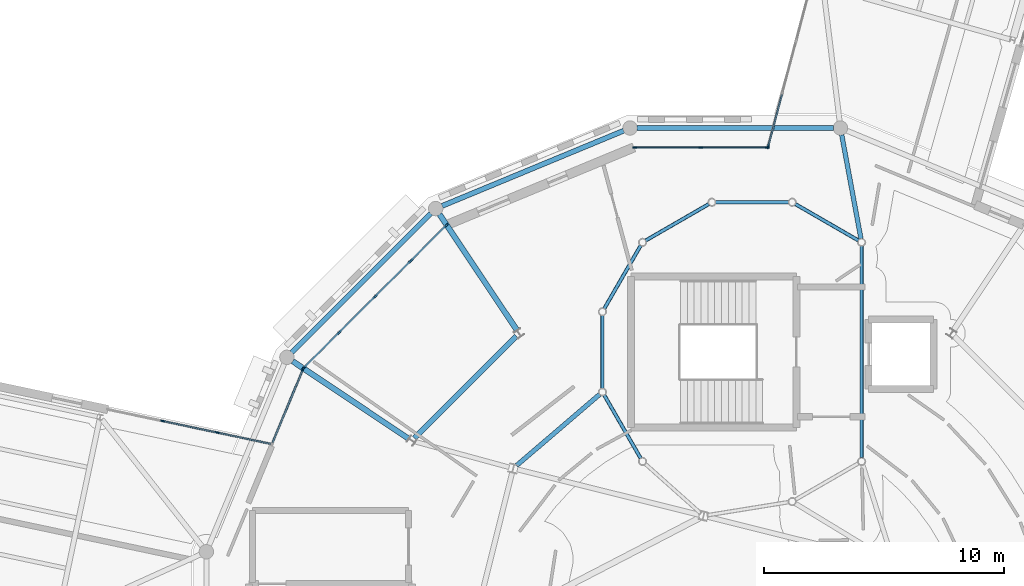
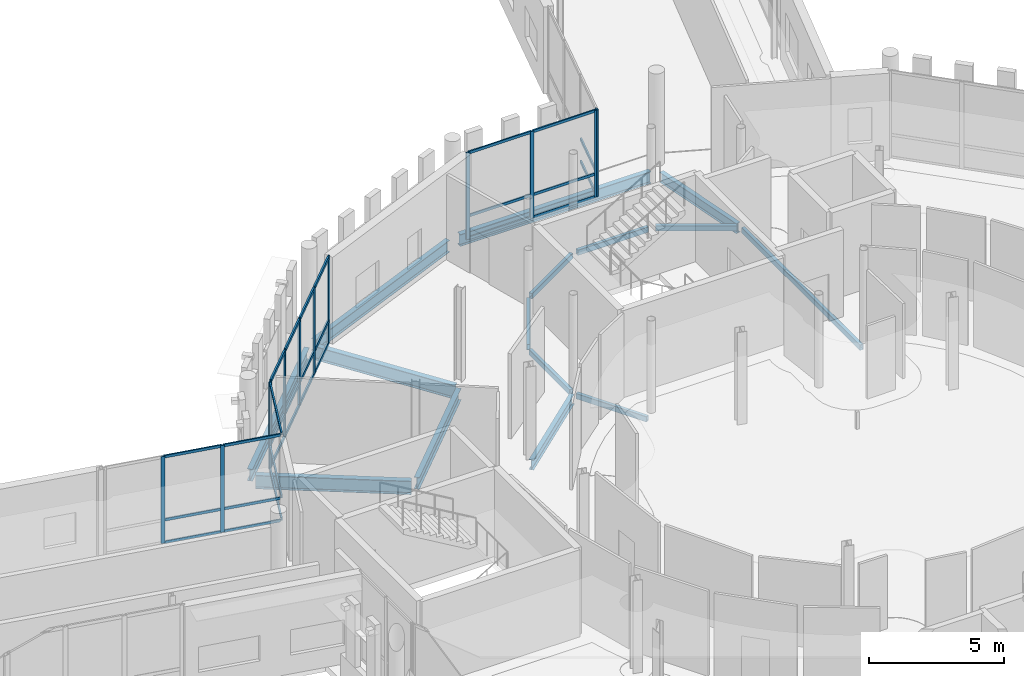
# One storey, part 59 of 125: 41 members, 15 beams, 5 elements without a shape of their own.
"""IFC4 building model written with IfcOpenShell, lengths in metres."""

from ifc_helpers import new_model, si_unit, direction, frame, origin, origin_2d, place, context, subcontext, project, spatial, rectangle, hollow_rectangle, i_section, extrude, material, material_profile, profile_set, type_object, element, aggregate, save


model = new_model("IFC4")

# Units and contexts
model_context = context("Model", 3, precision=1e-05, world=origin(), true_north=direction((0.0, 1.0)))
body_context = subcontext(model_context, "Body", "Model", "MODEL_VIEW")
ifc_project = project(units=[si_unit("LENGTHUNIT", "METRE"), si_unit("AREAUNIT", "SQUARE_METRE"), si_unit("VOLUMEUNIT", "CUBIC_METRE"), si_unit("PLANEANGLEUNIT", "RADIAN"), si_unit("MASSUNIT", "GRAM", prefix="KILO")], contexts=[model_context])

# Site, building, storey
site_placement = place(None, origin())
site = spatial("IfcSite", under=ifc_project, at=site_placement, CompositionType="ELEMENT")
building_placement = place(site_placement, origin())
building = spatial("IfcBuilding", under=site, at=building_placement, Name="Wrenclough Park School", CompositionType="ELEMENT")
storey_placement = place(building_placement, frame((0.0, 0.0, 4.199951171875)))
storey = spatial("IfcBuildingStorey", under=building, at=storey_placement, Name="L01", CompositionType="ELEMENT", Elevation=4.199951171875)

# Curtain wall, members
ifc_material_1 = material(Name="Thermally broken aluminium and low-e glass curtain wall", Category="aluminium")
curtain_wall_type_1 = type_object("IfcCurtainWallType", Name="ENV-CW-07", PredefinedType="USERDEFINED", material=ifc_material_1)
curtain_wall_1_placement = place(storey_placement, origin())
curtain_wall_1 = element("IfcCurtainWall", 1, at=curtain_wall_1_placement, inside=storey, type_object=curtain_wall_type_1, Name="L01 recessed curtain wall assembly 150", ObjectType="CURTAIN WALL", PredefinedType="USERDEFINED")
ifc_material_2 = material(Name="Thermally broken anodised aluminium", Category="aluminium")
ifc_material_profile_1 = material_profile(ifc_material_2, rectangle(XDim=0.06005859375, YDim=0.159912109375, at=origin_2d()), Name="AL MULLION 60x160")
ifc_profile_set_1 = profile_set([ifc_material_profile_1], Name="Thermally broken anodised aluminium")
member_type_1 = type_object("IfcMemberType", Name="ENV-CWM-1", PredefinedType="MULLION", material=ifc_profile_set_1)
member_1_placement = place(storey_placement, frame((131.658935546875, 36.322998046875, 0.0), z_axis=(0.0, 0.0, 1.0), x_axis=(0.206819986347, 0.978379013086, 0.0)))
member_1 = element("IfcMember", 2, at=member_1_placement, type_object=member_type_1, Name="CW-07 mullion 2", PredefinedType="MULLION", context=body_context, shape_type="SweptSolid", body=[
    extrude(rectangle(XDim=0.06005859375, YDim=0.159912109375, at=origin_2d()), origin(), (0.0, 0.0, 1.0), 3.93994140625),
])
member_2_placement = place(storey_placement, frame((133.9326171875, 35.84228515625, 0.0), z_axis=(0.0, 0.0, 1.0), x_axis=(0.206819986347, 0.978379013086, 0.0)))
member_2 = element("IfcMember", 3, at=member_2_placement, type_object=member_type_1, Name="CW-07 mullion 3", PredefinedType="MULLION", context=body_context, shape_type="SweptSolid", body=[
    extrude(rectangle(XDim=0.06005859375, YDim=0.159912109375, at=origin_2d()), origin(), (0.0, 0.0, 1.0), 3.93994140625),
])

curtain_wall_type_2 = type_object("IfcCurtainWallType", Name="ENV-CW-10", PredefinedType="USERDEFINED", material=ifc_material_1)
curtain_wall_2_placement = place(storey_placement, origin())
curtain_wall_2 = element("IfcCurtainWall", 4, at=curtain_wall_2_placement, inside=storey, type_object=curtain_wall_type_2, Name="L01 recessed curtain wall assembly 153", ObjectType="CURTAIN WALL", PredefinedType="USERDEFINED")
member_3_placement = place(storey_placement, frame((151.314697265625, 47.712158203125, 0.0), z_axis=(0.0, 0.0, 1.0), x_axis=(0.0, 1.0, 0.0)))
member_3 = element("IfcMember", 5, at=member_3_placement, type_object=member_type_1, Name="CW-10 mullion 1", PredefinedType="MULLION", context=body_context, shape_type="SweptSolid", body=[
    extrude(rectangle(XDim=0.06005859375, YDim=0.159912109375, at=origin_2d()), origin(), (0.0, 0.0, 1.0), 3.93994140625),
])
member_4_placement = place(storey_placement, frame((154.069580078125, 47.712158203125, 0.0), z_axis=(0.0, 0.0, 1.0), x_axis=(0.0, 1.0, 0.0)))
member_4 = element("IfcMember", 6, at=member_4_placement, type_object=member_type_1, Name="CW-10 mullion 2", PredefinedType="MULLION", context=body_context, shape_type="SweptSolid", body=[
    extrude(rectangle(XDim=0.06005859375, YDim=0.159912109375, at=origin_2d()), origin(), (0.0, 0.0, 1.0), 3.93994140625),
])
member_5_placement = place(storey_placement, frame((156.82470703125, 47.712158203125, 0.0), z_axis=(0.0, 0.0, 1.0), x_axis=(0.0, 1.0, 0.0)))
member_5 = element("IfcMember", 7, at=member_5_placement, type_object=member_type_1, Name="CW-10 mullion 3", PredefinedType="MULLION", context=body_context, shape_type="SweptSolid", body=[
    extrude(rectangle(XDim=0.06005859375, YDim=0.159912109375, at=origin_2d()), origin(), (0.0, 0.0, 1.0), 3.93994140625),
])

# Curtain wall, member
curtain_wall_type_3 = type_object("IfcCurtainWallType", Name="ENV-CW-08", PredefinedType="USERDEFINED", material=ifc_material_1)
curtain_wall_3_placement = place(storey_placement, origin())
curtain_wall_3 = element("IfcCurtainWall", 8, at=curtain_wall_3_placement, inside=storey, type_object=curtain_wall_type_3, Name="L01 recessed curtain wall assembly 151", ObjectType="CURTAIN WALL", PredefinedType="USERDEFINED")
ifc_material_profile_2 = material_profile(ifc_material_2, rectangle(XDim=0.06494140625, YDim=0.179931640625, at=origin_2d()), Name="AL MULLION 65x180")
ifc_profile_set_2 = profile_set([ifc_material_profile_2], Name="Thermally broken anodised aluminium")
member_type_2 = type_object("IfcMemberType", Name="ENV-CWM-2", PredefinedType="MULLION", material=ifc_profile_set_2)
member_6_placement = place(storey_placement, frame((137.503173828125, 38.48193359375, 0.0), z_axis=(0.0, 0.0, 1.0), x_axis=(-0.923864415303, 0.382719926497, 0.0)))
member_6 = element("IfcMember", 9, at=member_6_placement, type_object=member_type_2, Name="CW-08 mullion 2", PredefinedType="MULLION", context=body_context, shape_type="SweptSolid", body=[
    extrude(rectangle(XDim=0.06494140625, YDim=0.179931640625, at=origin_2d()), origin(), (0.0, 0.0, 1.0), 3.93994140625),
])

curtain_wall_type_4 = type_object("IfcCurtainWallType", Name="ENV-CW-11", PredefinedType="USERDEFINED", material=ifc_material_1)
curtain_wall_4_placement = place(storey_placement, origin())
curtain_wall_4 = element("IfcCurtainWall", 10, at=curtain_wall_4_placement, inside=storey, type_object=curtain_wall_type_4, Name="L01 recessed curtain wall assembly 154", ObjectType="CURTAIN WALL", PredefinedType="USERDEFINED")
member_7_placement = place(storey_placement, frame((156.8681640625, 47.747314453125, 0.0), z_axis=(0.0, 0.0, 1.0), x_axis=(-0.966439051093, 0.256896011105, 0.0)))
member_7 = element("IfcMember", 11, at=member_7_placement, type_object=member_type_2, Name="CW-11 mullion 1", PredefinedType="MULLION", context=body_context, shape_type="SweptSolid", body=[
    extrude(rectangle(XDim=0.06494140625, YDim=0.179931640625, at=origin_2d()), origin(), (0.0, 0.0, 1.0), 3.93994140625),
])

# Curtain wall, members
curtain_wall_type_5 = type_object("IfcCurtainWallType", Name="ENV-CW-09", PredefinedType="USERDEFINED", material=ifc_material_1)
curtain_wall_5_placement = place(storey_placement, origin())
curtain_wall_5 = element("IfcCurtainWall", 12, at=curtain_wall_5_placement, inside=storey, type_object=curtain_wall_type_5, Name="L01 recessed curtain wall assembly 152", ObjectType="CURTAIN WALL", PredefinedType="USERDEFINED")
ifc_material_profile_3 = material_profile(ifc_material_2, rectangle(XDim=0.070068359375, YDim=0.199951171875, at=origin_2d()), Name="AL MULLION 70x200")
ifc_profile_set_3 = profile_set([ifc_material_profile_3], Name="Thermally broken anodised aluminium")
member_type_3 = type_object("IfcMemberType", Name="ENV-CWM-3", PredefinedType="MULLION", material=ifc_profile_set_3)
member_8_placement = place(storey_placement, frame((137.544677734375, 38.543212890625, 0.0), z_axis=(0.0, 0.0, 1.0), x_axis=(-0.707106781187, 0.707106781187, 0.0)))
member_8 = element("IfcMember", 13, at=member_8_placement, type_object=member_type_3, Name="CW-09 mullion 1", PredefinedType="MULLION", context=body_context, shape_type="SweptSolid", body=[
    extrude(rectangle(XDim=0.070068359375, YDim=0.199951171875, at=origin_2d()), origin(), (0.0, 0.0, 1.0), 3.93994140625),
])
member_9_placement = place(storey_placement, frame((139.010498046875, 40.0087890625, 0.0), z_axis=(0.0, 0.0, 1.0), x_axis=(-0.707106781187, 0.707106781187, 0.0)))
member_9 = element("IfcMember", 14, at=member_9_placement, type_object=member_type_3, Name="CW-09 mullion 2", PredefinedType="MULLION", context=body_context, shape_type="SweptSolid", body=[
    extrude(rectangle(XDim=0.070068359375, YDim=0.199951171875, at=origin_2d()), origin(), (0.0, 0.0, 1.0), 3.93994140625),
])
member_10_placement = place(storey_placement, frame((140.500732421875, 41.499267578125, 0.0), z_axis=(0.0, 0.0, 1.0), x_axis=(-0.707106781187, 0.707106781187, 0.0)))
member_10 = element("IfcMember", 15, at=member_10_placement, type_object=member_type_3, Name="CW-09 mullion 3", PredefinedType="MULLION", context=body_context, shape_type="SweptSolid", body=[
    extrude(rectangle(XDim=0.070068359375, YDim=0.199951171875, at=origin_2d()), origin(), (0.0, 0.0, 1.0), 3.93994140625),
])
member_11_placement = place(storey_placement, frame((141.9912109375, 42.989501953125, 0.0), z_axis=(0.0, 0.0, 1.0), x_axis=(-0.707106781187, 0.707106781187, 0.0)))
member_11 = element("IfcMember", 16, at=member_11_placement, type_object=member_type_3, Name="CW-09 mullion 4", PredefinedType="MULLION", context=body_context, shape_type="SweptSolid", body=[
    extrude(rectangle(XDim=0.070068359375, YDim=0.199951171875, at=origin_2d()), origin(), (0.0, 0.0, 1.0), 3.93994140625),
])
member_12_placement = place(storey_placement, frame((143.456787109375, 44.455322265625, 0.0), z_axis=(0.0, 0.0, 1.0), x_axis=(-0.707106781187, 0.707106781187, 0.0)))
member_12 = element("IfcMember", 17, at=member_12_placement, type_object=member_type_3, Name="CW-09 mullion 5", PredefinedType="MULLION", context=body_context, shape_type="SweptSolid", body=[
    extrude(rectangle(XDim=0.070068359375, YDim=0.199951171875, at=origin_2d()), origin(), (0.0, 0.0, 1.0), 3.93994140625),
])

# Member
ifc_material_profile_4 = material_profile(ifc_material_2, rectangle(XDim=0.06005859375, YDim=0.1201171875, at=origin_2d()), Name="AL TRANSOM 60x120")
ifc_profile_set_4 = profile_set([ifc_material_profile_4], Name="Thermally broken anodised aluminium")
member_type_4 = type_object("IfcMemberType", Name="ENV-CWT-1", PredefinedType="USERDEFINED", material=ifc_profile_set_4)
member_13_placement = place(storey_placement, frame((131.688232421875, 36.31689453125, 0.030029296875), z_axis=(0.978377826347, -0.206825600235, 0.0), x_axis=(0.206825600235, 0.978377826347, 0.0)))
member_13 = element("IfcMember", 18, at=member_13_placement, type_object=member_type_4, Name="CW-07 transom 2.1", ObjectType="TRANSOM", PredefinedType="USERDEFINED", context=body_context, shape_type="SweptSolid", body=[
    extrude(rectangle(XDim=0.06005859375, YDim=0.1201171875, at=origin_2d()), origin(), (0.0, 0.0, 1.0), 2.26416015625),
])

member_14_placement = place(storey_placement, frame((131.688232421875, 36.31689453125, 1.050048828125), z_axis=(0.978377826347, -0.206825600235, 0.0), x_axis=(0.206825600235, 0.978377826347, 0.0)))
member_14 = element("IfcMember", 19, at=member_14_placement, type_object=member_type_4, Name="CW-07 transom 2.2", ObjectType="TRANSOM", PredefinedType="USERDEFINED", context=body_context, shape_type="SweptSolid", body=[
    extrude(rectangle(XDim=0.06005859375, YDim=0.1201171875, at=origin_2d()), origin(), (0.0, 0.0, 1.0), 2.26416015625),
])

member_15_placement = place(storey_placement, frame((131.688232421875, 36.31689453125, 3.91015625), z_axis=(0.978377826347, -0.206825600235, 0.0), x_axis=(0.206825600235, 0.978377826347, 0.0)))
member_15 = element("IfcMember", 20, at=member_15_placement, type_object=member_type_4, Name="CW-07 transom 2.3", ObjectType="TRANSOM", PredefinedType="USERDEFINED", context=body_context, shape_type="SweptSolid", body=[
    extrude(rectangle(XDim=0.06005859375, YDim=0.1201171875, at=origin_2d()), origin(), (0.0, 0.0, 1.0), 2.26416015625),
])

member_16_placement = place(storey_placement, frame((133.9619140625, 35.836181640625, 0.030029296875), z_axis=(0.978369697469, -0.206864049739, 0.0), x_axis=(0.206864049739, 0.978369697469, 0.0)))
member_16 = element("IfcMember", 21, at=member_16_placement, type_object=member_type_4, Name="CW-07 transom 3.1", ObjectType="TRANSOM", PredefinedType="USERDEFINED", context=body_context, shape_type="SweptSolid", body=[
    extrude(rectangle(XDim=0.06005859375, YDim=0.1201171875, at=origin_2d()), origin(), (0.0, 0.0, 1.0), 2.234130859375),
])

member_17_placement = place(storey_placement, frame((133.9619140625, 35.836181640625, 1.050048828125), z_axis=(0.978369697469, -0.206864049739, 0.0), x_axis=(0.206864049739, 0.978369697469, 0.0)))
member_17 = element("IfcMember", 22, at=member_17_placement, type_object=member_type_4, Name="CW-07 transom 3.2", ObjectType="TRANSOM", PredefinedType="USERDEFINED", context=body_context, shape_type="SweptSolid", body=[
    extrude(rectangle(XDim=0.06005859375, YDim=0.1201171875, at=origin_2d()), origin(), (0.0, 0.0, 1.0), 2.234130859375),
])

member_18_placement = place(storey_placement, frame((133.9619140625, 35.836181640625, 3.91015625), z_axis=(0.978369697469, -0.206864049739, 0.0), x_axis=(0.206864049739, 0.978369697469, 0.0)))
member_18 = element("IfcMember", 23, at=member_18_placement, type_object=member_type_4, Name="CW-07 transom 3.3", ObjectType="TRANSOM", PredefinedType="USERDEFINED", context=body_context, shape_type="SweptSolid", body=[
    extrude(rectangle(XDim=0.06005859375, YDim=0.1201171875, at=origin_2d()), origin(), (0.0, 0.0, 1.0), 2.234130859375),
])

aggregate(curtain_wall_1, [member_1, member_2, member_13, member_14, member_15, member_16, member_17, member_18])

member_19_placement = place(storey_placement, frame((151.3447265625, 47.712158203125, 0.030029296875), z_axis=(1.0, 0.0, 0.0), x_axis=(0.0, 1.0, 0.0)))
member_19 = element("IfcMember", 24, at=member_19_placement, type_object=member_type_4, Name="CW-10 transom 1.1", ObjectType="TRANSOM", PredefinedType="USERDEFINED", context=body_context, shape_type="SweptSolid", body=[
    extrude(rectangle(XDim=0.06005859375, YDim=0.1201171875, at=origin_2d()), origin(), (0.0, 0.0, 1.0), 2.695068359375),
])

member_20_placement = place(storey_placement, frame((151.3447265625, 47.712158203125, 1.050048828125), z_axis=(1.0, 0.0, 0.0), x_axis=(0.0, 1.0, 0.0)))
member_20 = element("IfcMember", 25, at=member_20_placement, type_object=member_type_4, Name="CW-10 transom 1.2", ObjectType="TRANSOM", PredefinedType="USERDEFINED", context=body_context, shape_type="SweptSolid", body=[
    extrude(rectangle(XDim=0.06005859375, YDim=0.1201171875, at=origin_2d()), origin(), (0.0, 0.0, 1.0), 2.695068359375),
])

member_21_placement = place(storey_placement, frame((151.3447265625, 47.712158203125, 3.91015625), z_axis=(1.0, 0.0, 0.0), x_axis=(0.0, 1.0, 0.0)))
member_21 = element("IfcMember", 26, at=member_21_placement, type_object=member_type_4, Name="CW-10 transom 1.3", ObjectType="TRANSOM", PredefinedType="USERDEFINED", context=body_context, shape_type="SweptSolid", body=[
    extrude(rectangle(XDim=0.06005859375, YDim=0.1201171875, at=origin_2d()), origin(), (0.0, 0.0, 1.0), 2.695068359375),
])

member_22_placement = place(storey_placement, frame((154.099609375, 47.712158203125, 0.030029296875), z_axis=(1.0, 0.0, 0.0), x_axis=(0.0, 1.0, 0.0)))
member_22 = element("IfcMember", 27, at=member_22_placement, type_object=member_type_4, Name="CW-10 transom 2.1", ObjectType="TRANSOM", PredefinedType="USERDEFINED", context=body_context, shape_type="SweptSolid", body=[
    extrude(rectangle(XDim=0.06005859375, YDim=0.1201171875, at=origin_2d()), origin(), (0.0, 0.0, 1.0), 2.695068359375),
])

member_23_placement = place(storey_placement, frame((154.099609375, 47.712158203125, 1.050048828125), z_axis=(1.0, 0.0, 0.0), x_axis=(0.0, 1.0, 0.0)))
member_23 = element("IfcMember", 28, at=member_23_placement, type_object=member_type_4, Name="CW-10 transom 2.2", ObjectType="TRANSOM", PredefinedType="USERDEFINED", context=body_context, shape_type="SweptSolid", body=[
    extrude(rectangle(XDim=0.06005859375, YDim=0.1201171875, at=origin_2d()), origin(), (0.0, 0.0, 1.0), 2.695068359375),
])

member_24_placement = place(storey_placement, frame((154.099609375, 47.712158203125, 3.91015625), z_axis=(1.0, 0.0, 0.0), x_axis=(0.0, 1.0, 0.0)))
member_24 = element("IfcMember", 29, at=member_24_placement, type_object=member_type_4, Name="CW-10 transom 2.3", ObjectType="TRANSOM", PredefinedType="USERDEFINED", context=body_context, shape_type="SweptSolid", body=[
    extrude(rectangle(XDim=0.06005859375, YDim=0.1201171875, at=origin_2d()), origin(), (0.0, 0.0, 1.0), 2.695068359375),
])

aggregate(curtain_wall_2, [member_3, member_4, member_5, member_19, member_20, member_21, member_22, member_23, member_24])

ifc_material_profile_5 = material_profile(ifc_material_2, rectangle(XDim=0.06494140625, YDim=0.139892578125, at=origin_2d()), Name="AL TRANSOM 65x140")
ifc_profile_set_5 = profile_set([ifc_material_profile_5], Name="Thermally broken anodised aluminium")
member_type_5 = type_object("IfcMemberType", Name="ENV-CWT-2", PredefinedType="USERDEFINED", material=ifc_profile_set_5)
member_25_placement = place(storey_placement, frame((136.23681640625, 35.424560546875, 0.032470703125), z_axis=(0.382667649558, 0.923886069806, 0.0), x_axis=(-0.923886069806, 0.382667649558, 0.0)))
member_25 = element("IfcMember", 30, at=member_25_placement, type_object=member_type_5, Name="CW-08 transom 1.1", ObjectType="TRANSOM", PredefinedType="USERDEFINED", context=body_context, shape_type="SweptSolid", body=[
    extrude(rectangle(XDim=0.06494140625, YDim=0.139892578125, at=origin_2d()), origin(), (0.0, 0.0, 1.0), 3.27685546875),
])

member_26_placement = place(storey_placement, frame((136.23681640625, 35.424560546875, 1.050048828125), z_axis=(0.382667649558, 0.923886069806, 0.0), x_axis=(-0.923886069806, 0.382667649558, 0.0)))
member_26 = element("IfcMember", 31, at=member_26_placement, type_object=member_type_5, Name="CW-08 transom 1.2", ObjectType="TRANSOM", PredefinedType="USERDEFINED", context=body_context, shape_type="SweptSolid", body=[
    extrude(rectangle(XDim=0.06494140625, YDim=0.139892578125, at=origin_2d()), origin(), (0.0, 0.0, 1.0), 3.27685546875),
])

member_27_placement = place(storey_placement, frame((136.23681640625, 35.424560546875, 3.907470703125), z_axis=(0.382667649558, 0.923886069806, 0.0), x_axis=(-0.923886069806, 0.382667649558, 0.0)))
member_27 = element("IfcMember", 32, at=member_27_placement, type_object=member_type_5, Name="CW-08 transom 1.3", ObjectType="TRANSOM", PredefinedType="USERDEFINED", context=body_context, shape_type="SweptSolid", body=[
    extrude(rectangle(XDim=0.06494140625, YDim=0.139892578125, at=origin_2d()), origin(), (0.0, 0.0, 1.0), 3.27685546875),
])

aggregate(curtain_wall_3, [member_6, member_25, member_26, member_27])

member_28_placement = place(storey_placement, frame((156.87646484375, 47.77880859375, 0.032470703125), z_axis=(0.256868360243, 0.966446400741, 0.0), x_axis=(-0.966446400741, 0.256868360243, 0.0)))
member_28 = element("IfcMember", 33, at=member_28_placement, type_object=member_type_5, Name="CW-11 transom 1.1", ObjectType="TRANSOM", PredefinedType="USERDEFINED", context=body_context, shape_type="SweptSolid", body=[
    extrude(rectangle(XDim=0.06494140625, YDim=0.139892578125, at=origin_2d()), origin(), (0.0, 0.0, 1.0), 2.2001953125),
])

member_29_placement = place(storey_placement, frame((156.87646484375, 47.77880859375, 1.050048828125), z_axis=(0.256868360243, 0.966446400741, 0.0), x_axis=(-0.966446400741, 0.256868360243, 0.0)))
member_29 = element("IfcMember", 34, at=member_29_placement, type_object=member_type_5, Name="CW-11 transom 1.2", ObjectType="TRANSOM", PredefinedType="USERDEFINED", context=body_context, shape_type="SweptSolid", body=[
    extrude(rectangle(XDim=0.06494140625, YDim=0.139892578125, at=origin_2d()), origin(), (0.0, 0.0, 1.0), 2.2001953125),
])

aggregate(curtain_wall_4, [member_7, member_28, member_29])

ifc_material_profile_6 = material_profile(ifc_material_2, rectangle(XDim=0.070068359375, YDim=0.14990234375, at=origin_2d()), Name="AL TRANSOM 70x150")
ifc_profile_set_6 = profile_set([ifc_material_profile_6], Name="Thermally broken anodised aluminium")
member_type_6 = type_object("IfcMemberType", Name="ENV-CWT-3", PredefinedType="USERDEFINED", material=ifc_profile_set_6)
member_30_placement = place(storey_placement, frame((137.569580078125, 38.56787109375, 0.03515625), z_axis=(0.707045826333, 0.707167730786, 0.0), x_axis=(-0.707167730786, 0.707045826333, 0.0)))
member_30 = element("IfcMember", 35, at=member_30_placement, type_object=member_type_6, Name="CW-09 transom 1.1", ObjectType="TRANSOM", PredefinedType="USERDEFINED", context=body_context, shape_type="SweptSolid", body=[
    extrude(rectangle(XDim=0.070068359375, YDim=0.14990234375, at=origin_2d()), origin(), (0.0, 0.0, 1.0), 2.002685546875),
])

member_31_placement = place(storey_placement, frame((137.569580078125, 38.56787109375, 1.050048828125), z_axis=(0.707045826333, 0.707167730786, 0.0), x_axis=(-0.707167730786, 0.707045826333, 0.0)))
member_31 = element("IfcMember", 36, at=member_31_placement, type_object=member_type_6, Name="CW-09 transom 1.2", ObjectType="TRANSOM", PredefinedType="USERDEFINED", context=body_context, shape_type="SweptSolid", body=[
    extrude(rectangle(XDim=0.070068359375, YDim=0.14990234375, at=origin_2d()), origin(), (0.0, 0.0, 1.0), 2.002685546875),
])

member_32_placement = place(storey_placement, frame((137.569580078125, 38.56787109375, 3.905029296875), z_axis=(0.707045826333, 0.707167730786, 0.0), x_axis=(-0.707167730786, 0.707045826333, 0.0)))
member_32 = element("IfcMember", 37, at=member_32_placement, type_object=member_type_6, Name="CW-09 transom 1.3", ObjectType="TRANSOM", PredefinedType="USERDEFINED", context=body_context, shape_type="SweptSolid", body=[
    extrude(rectangle(XDim=0.070068359375, YDim=0.14990234375, at=origin_2d()), origin(), (0.0, 0.0, 1.0), 2.002685546875),
])

member_33_placement = place(storey_placement, frame((139.03515625, 40.033447265625, 0.03515625), z_axis=(0.707106781187, 0.707106781187, 0.0), x_axis=(-0.707106781187, 0.707106781187, 0.0)))
member_33 = element("IfcMember", 38, at=member_33_placement, type_object=member_type_6, Name="CW-09 transom 2.1", ObjectType="TRANSOM", PredefinedType="USERDEFINED", context=body_context, shape_type="SweptSolid", body=[
    extrude(rectangle(XDim=0.070068359375, YDim=0.14990234375, at=origin_2d()), origin(), (0.0, 0.0, 1.0), 2.037841796875),
])

member_34_placement = place(storey_placement, frame((139.03515625, 40.033447265625, 1.050048828125), z_axis=(0.707106781187, 0.707106781187, 0.0), x_axis=(-0.707106781187, 0.707106781187, 0.0)))
member_34 = element("IfcMember", 39, at=member_34_placement, type_object=member_type_6, Name="CW-09 transom 2.2", ObjectType="TRANSOM", PredefinedType="USERDEFINED", context=body_context, shape_type="SweptSolid", body=[
    extrude(rectangle(XDim=0.070068359375, YDim=0.14990234375, at=origin_2d()), origin(), (0.0, 0.0, 1.0), 2.037841796875),
])

member_35_placement = place(storey_placement, frame((139.03515625, 40.033447265625, 3.905029296875), z_axis=(0.707106781187, 0.707106781187, 0.0), x_axis=(-0.707106781187, 0.707106781187, 0.0)))
member_35 = element("IfcMember", 40, at=member_35_placement, type_object=member_type_6, Name="CW-09 transom 2.3", ObjectType="TRANSOM", PredefinedType="USERDEFINED", context=body_context, shape_type="SweptSolid", body=[
    extrude(rectangle(XDim=0.070068359375, YDim=0.14990234375, at=origin_2d()), origin(), (0.0, 0.0, 1.0), 2.037841796875),
])

member_36_placement = place(storey_placement, frame((140.525634765625, 41.52392578125, 0.03515625), z_axis=(0.707106781187, 0.707106781187, 0.0), x_axis=(-0.707106781187, 0.707106781187, 0.0)))
member_36 = element("IfcMember", 41, at=member_36_placement, type_object=member_type_6, Name="CW-09 transom 3.1", ObjectType="TRANSOM", PredefinedType="USERDEFINED", context=body_context, shape_type="SweptSolid", body=[
    extrude(rectangle(XDim=0.070068359375, YDim=0.14990234375, at=origin_2d()), origin(), (0.0, 0.0, 1.0), 2.037841796875),
])

member_37_placement = place(storey_placement, frame((140.525634765625, 41.52392578125, 1.050048828125), z_axis=(0.707106781187, 0.707106781187, 0.0), x_axis=(-0.707106781187, 0.707106781187, 0.0)))
member_37 = element("IfcMember", 42, at=member_37_placement, type_object=member_type_6, Name="CW-09 transom 3.2", ObjectType="TRANSOM", PredefinedType="USERDEFINED", context=body_context, shape_type="SweptSolid", body=[
    extrude(rectangle(XDim=0.070068359375, YDim=0.14990234375, at=origin_2d()), origin(), (0.0, 0.0, 1.0), 2.037841796875),
])

member_38_placement = place(storey_placement, frame((140.525634765625, 41.52392578125, 3.905029296875), z_axis=(0.707106781187, 0.707106781187, 0.0), x_axis=(-0.707106781187, 0.707106781187, 0.0)))
member_38 = element("IfcMember", 43, at=member_38_placement, type_object=member_type_6, Name="CW-09 transom 3.3", ObjectType="TRANSOM", PredefinedType="USERDEFINED", context=body_context, shape_type="SweptSolid", body=[
    extrude(rectangle(XDim=0.070068359375, YDim=0.14990234375, at=origin_2d()), origin(), (0.0, 0.0, 1.0), 2.037841796875),
])

member_39_placement = place(storey_placement, frame((142.015869140625, 43.014404296875, 0.03515625), z_axis=(0.707167730786, 0.707045826333, 0.0), x_axis=(-0.707045826333, 0.707167730786, 0.0)))
member_39 = element("IfcMember", 44, at=member_39_placement, type_object=member_type_6, Name="CW-09 transom 4.1", ObjectType="TRANSOM", PredefinedType="USERDEFINED", context=body_context, shape_type="SweptSolid", body=[
    extrude(rectangle(XDim=0.070068359375, YDim=0.14990234375, at=origin_2d()), origin(), (0.0, 0.0, 1.0), 2.002685546875),
])

member_40_placement = place(storey_placement, frame((142.015869140625, 43.014404296875, 1.050048828125), z_axis=(0.707167730786, 0.707045826333, 0.0), x_axis=(-0.707045826333, 0.707167730786, 0.0)))
member_40 = element("IfcMember", 45, at=member_40_placement, type_object=member_type_6, Name="CW-09 transom 4.2", ObjectType="TRANSOM", PredefinedType="USERDEFINED", context=body_context, shape_type="SweptSolid", body=[
    extrude(rectangle(XDim=0.070068359375, YDim=0.14990234375, at=origin_2d()), origin(), (0.0, 0.0, 1.0), 2.002685546875),
])

member_41_placement = place(storey_placement, frame((142.015869140625, 43.014404296875, 3.905029296875), z_axis=(0.707167730786, 0.707045826333, 0.0), x_axis=(-0.707045826333, 0.707167730786, 0.0)))
member_41 = element("IfcMember", 46, at=member_41_placement, type_object=member_type_6, Name="CW-09 transom 4.3", ObjectType="TRANSOM", PredefinedType="USERDEFINED", context=body_context, shape_type="SweptSolid", body=[
    extrude(rectangle(XDim=0.070068359375, YDim=0.14990234375, at=origin_2d()), origin(), (0.0, 0.0, 1.0), 2.002685546875),
])

aggregate(curtain_wall_5, [member_8, member_9, member_10, member_11, member_12, member_30, member_31, member_32, member_33, member_34, member_35, member_36, member_37, member_38, member_39, member_40, member_41])

# Beams
ifc_material_3 = material(Name="Structural steel S355", Category="steel")
ifc_material_profile_7 = material_profile(ifc_material_3, hollow_rectangle(XDim=0.14990234375, YDim=0.25, WallThickness=0.010009765625, InnerFilletRadius=0.010009765625, OuterFilletRadius=0.014892578125, at=origin_2d()), Name="RHS 250x150x10.0")
ifc_profile_set_7 = profile_set([ifc_material_profile_7], Name="Structural steel S355")
beam_type_1 = type_object("IfcBeamType", Name="STR-BM-RHS250", PredefinedType="SPANDREL", material=ifc_profile_set_7)
beam_1_placement = place(storey_placement, frame((160.626220703125, 43.83837890625, -0.389892578125), z_axis=(-0.866001636166, 0.500041164463, 0.0), x_axis=(-0.500041164463, -0.866001636166, 0.0)))
element("IfcBeam", 47, at=beam_1_placement, inside=storey, type_object=beam_type_1, Name="D1-SH L01 cylindrical ring beam 1", PredefinedType="SPANDREL", context=body_context, shape_type="SweptSolid", body=[
    extrude(hollow_rectangle(XDim=0.14990234375, YDim=0.25, WallThickness=0.010009765625, InnerFilletRadius=0.010009765625, OuterFilletRadius=0.014892578125, at=origin_2d()), origin(), (0.0, 0.0, 1.0), 3.028076171875),
])
beam_2_placement = place(storey_placement, frame((157.7138671875, 45.43017578125, -0.389892578125), z_axis=(-1.0, 0.0, 0.0), x_axis=(0.0, -1.0, 0.0)))
element("IfcBeam", 48, at=beam_2_placement, inside=storey, type_object=beam_type_1, Name="D1-SH L01 cylindrical ring beam 2", PredefinedType="SPANDREL", context=body_context, shape_type="SweptSolid", body=[
    extrude(hollow_rectangle(XDim=0.14990234375, YDim=0.25, WallThickness=0.010009765625, InnerFilletRadius=0.010009765625, OuterFilletRadius=0.014892578125, at=origin_2d()), origin(), (0.0, 0.0, 1.0), 3.02783203125),
])
beam_3_placement = place(storey_placement, frame((154.39599609375, 45.3525390625, -0.389892578125), z_axis=(-0.866001636166, -0.500041164463, 0.0), x_axis=(0.500041164463, -0.866001636166, 0.0)))
element("IfcBeam", 49, at=beam_3_placement, inside=storey, type_object=beam_type_1, Name="D1-SH L01 cylindrical ring beam 3", PredefinedType="SPANDREL", context=body_context, shape_type="SweptSolid", body=[
    extrude(hollow_rectangle(XDim=0.14990234375, YDim=0.25, WallThickness=0.010009765625, InnerFilletRadius=0.010009765625, OuterFilletRadius=0.014892578125, at=origin_2d()), origin(), (0.0, 0.0, 1.0), 3.028076171875),
])
for number, where, z_axis, x_axis, name in (
    (50, (151.5615234375, 43.626220703125, -0.389892578125), (-0.499980694781, -0.866036549371, 0.0), (0.866036549371, -0.499980694781, 0.0), "D1-SH L01 cylindrical ring beam 4"),
    (51, (149.9697265625, 40.7138671875, -0.389892578125), (0.0, -1.0, 0.0), (1.0, 0.0, 0.0), "D1-SH L01 cylindrical ring beam 5"),
    (52, (150.047607421875, 37.39599609375, -0.389892578125), (0.499980694781, -0.866036549371, 0.0), (0.866036549371, 0.499980694781, 0.0), "D1-SH L01 cylindrical ring beam 6"),
):
    element("IfcBeam", number, at=place(storey_placement, frame(where, z_axis=z_axis, x_axis=x_axis)), inside=storey, type_object=beam_type_1, Name=name, PredefinedType="SPANDREL", context=body_context, shape_type="SweptSolid", body=[
        extrude(hollow_rectangle(XDim=0.14990234375, YDim=0.25, WallThickness=0.010009765625, InnerFilletRadius=0.010009765625, OuterFilletRadius=0.014892578125, at=origin_2d()), origin(), (0.0, 0.0, 1.0), 3.02783203125),
    ])
beam_4_placement = place(storey_placement, frame((160.7607421875, 34.794677734375, -0.389892578125), z_axis=(0.0, 1.0, 0.0), x_axis=(-1.0, 0.0, 0.0)))
element("IfcBeam", 53, at=beam_4_placement, inside=storey, type_object=beam_type_1, Name="D1-SH L01 cylindrical ring beam 10", PredefinedType="SPANDREL", context=body_context, shape_type="SweptSolid", body=[
    extrude(hollow_rectangle(XDim=0.14990234375, YDim=0.25, WallThickness=0.010009765625, InnerFilletRadius=0.010009765625, OuterFilletRadius=0.014892578125, at=origin_2d()), origin(), (0.0, 0.0, 1.0), 8.810546875),
])
ifc_material_profile_8 = material_profile(ifc_material_3, i_section(OverallWidth=0.18994140625, OverallDepth=0.453369140625, WebThickness=0.008544921875, FlangeThickness=0.0126953125, FilletRadius=0.01025390625, at=origin_2d()), Name="UKB 457x191x67")
ifc_profile_set_8 = profile_set([ifc_material_profile_8], Name="Structural steel S355")
beam_type_2 = type_object("IfcBeamType", Name="STR-BM-UKB457A", PredefinedType="BEAM", material=ifc_profile_set_8)
beam_5_placement = place(storey_placement, frame((146.3916015625, 34.466064453125, -0.49169921875), z_axis=(0.759528898389, 0.650473560195, 0.0), x_axis=(-0.650473560195, 0.759528898389, 0.0)))
element("IfcBeam", 54, at=beam_5_placement, inside=storey, type_object=beam_type_2, Name="Primary frame continuity tie beam 0011", PredefinedType="BEAM", context=body_context, shape_type="SweptSolid", body=[
    extrude(i_section(OverallWidth=0.18994140625, OverallDepth=0.453369140625, WebThickness=0.008544921875, FlangeThickness=0.0126953125, FilletRadius=0.01025390625, at=origin_2d()), origin(), (0.0, 0.0, 1.0), 4.5556640625),
])
beam_6_placement = place(storey_placement, frame((160.732421875, 43.913818359375, -0.49169921875), z_axis=(-0.182091249355, 0.983281636617, 0.0), x_axis=(-0.983281636617, -0.182091249355, 0.0)))
element("IfcBeam", 55, at=beam_6_placement, inside=storey, type_object=beam_type_2, Name="Primary frame continuity tie beam 0075", PredefinedType="BEAM", context=body_context, shape_type="SweptSolid", body=[
    extrude(i_section(OverallWidth=0.18994140625, OverallDepth=0.453369140625, WebThickness=0.008544921875, FlangeThickness=0.0126953125, FilletRadius=0.01025390625, at=origin_2d()), origin(), (0.0, 0.0, 1.0), 4.39501953125),
])
ifc_material_profile_9 = material_profile(ifc_material_3, i_section(OverallWidth=0.209228515625, OverallDepth=0.533203125, WebThickness=0.010009765625, FlangeThickness=0.015625, FilletRadius=0.0126953125, at=origin_2d()), Name="UKB 533x210x92")
ifc_profile_set_9 = profile_set([ifc_material_profile_9], Name="Structural steel S355")
beam_type_3 = type_object("IfcBeamType", Name="STR-BM-UKB533A", PredefinedType="BEAM", material=ifc_profile_set_9)
beam_7_placement = place(storey_placement, frame((146.388916015625, 39.85888671875, -0.531494140625), z_axis=(-0.707106781187, -0.707106781187, 0.0), x_axis=(0.707106781187, -0.707106781187, 0.0)))
element("IfcBeam", 56, at=beam_7_placement, inside=storey, type_object=beam_type_3, Name="D1 L01 middle ring beam 6", PredefinedType="BEAM", context=body_context, shape_type="SweptSolid", body=[
    extrude(i_section(OverallWidth=0.209228515625, OverallDepth=0.533203125, WebThickness=0.010009765625, FlangeThickness=0.015625, FilletRadius=0.0126953125, at=origin_2d()), origin(), (0.0, 0.0, 1.0), 6.00732421875),
])
ifc_material_profile_10 = material_profile(ifc_material_3, i_section(OverallWidth=0.210693359375, OverallDepth=0.53955078125, WebThickness=0.01171875, FlangeThickness=0.018798828125, FilletRadius=0.0126953125, at=origin_2d()), Name="UKB 533x210x109")
ifc_profile_set_10 = profile_set([ifc_material_profile_10], Name="Structural steel S355")
beam_type_4 = type_object("IfcBeamType", Name="STR-BM-UKB533B", PredefinedType="SPANDREL", material=ifc_profile_set_10)
for number, where, z_axis, x_axis, name in (
    (57, (159.591796875, 48.5185546875, -0.53466796875), (-1.0, 0.0, 0.0), (0.0, -1.0, 0.0), "D1 L01 outer ring spandrel beam 4"),
    (58, (150.85400390625, 48.408447265625, -0.53466796875), (-0.923872840962, -0.382699586795, 0.0), (0.382699586795, -0.923872840962, 0.0), "D1 L01 outer ring spandrel beam 5"),
    (59, (142.82373046875, 44.962890625, -0.53466796875), (-0.707106781187, -0.707106781187, 0.0), (0.707106781187, -0.707106781187, 0.0), "D1 L01 outer ring spandrel beam 6"),
):
    element("IfcBeam", number, at=place(storey_placement, frame(where, z_axis=z_axis, x_axis=x_axis)), inside=storey, type_object=beam_type_4, Name=name, PredefinedType="SPANDREL", context=body_context, shape_type="SweptSolid", body=[
        extrude(i_section(OverallWidth=0.210693359375, OverallDepth=0.53955078125, WebThickness=0.01171875, FlangeThickness=0.018798828125, FilletRadius=0.0126953125, at=origin_2d()), origin(), (0.0, 0.0, 1.0), 8.18359375),
    ])
ifc_material_profile_11 = material_profile(ifc_material_3, i_section(OverallWidth=0.22900390625, OverallDepth=0.6123046875, WebThickness=0.011962890625, FlangeThickness=0.01953125, FilletRadius=0.0126953125, at=origin_2d()), Name="UKB 610x229x125")
ifc_profile_set_11 = profile_set([ifc_material_profile_11], Name="Structural steel S355")
beam_type_5 = type_object("IfcBeamType", Name="STR-BM-UKB610", PredefinedType="BEAM", material=ifc_profile_set_11)
for number, where, z_axis, x_axis, name in (
    (60, (143.1875, 44.927001953125, -0.571044921875), (0.555573382746, -0.831467507714, 0.0), (0.831467507714, 0.555573382746, 0.0), "D1 L01 radial girder 6"),
    (61, (137.072998046875, 38.8125, -0.571044921875), (0.831467507714, -0.555573382746, 0.0), (0.555573382746, 0.831467507714, 0.0), "D1 L01 radial girder 7"),
):
    element("IfcBeam", number, at=place(storey_placement, frame(where, z_axis=z_axis, x_axis=x_axis)), inside=storey, type_object=beam_type_5, Name=name, PredefinedType="BEAM", context=body_context, shape_type="SweptSolid", body=[
        extrude(i_section(OverallWidth=0.22900390625, OverallDepth=0.6123046875, WebThickness=0.011962890625, FlangeThickness=0.01953125, FilletRadius=0.0126953125, at=origin_2d()), origin(), (0.0, 0.0, 1.0), 5.804931640625),
    ])

save(model, "model.ifc")
